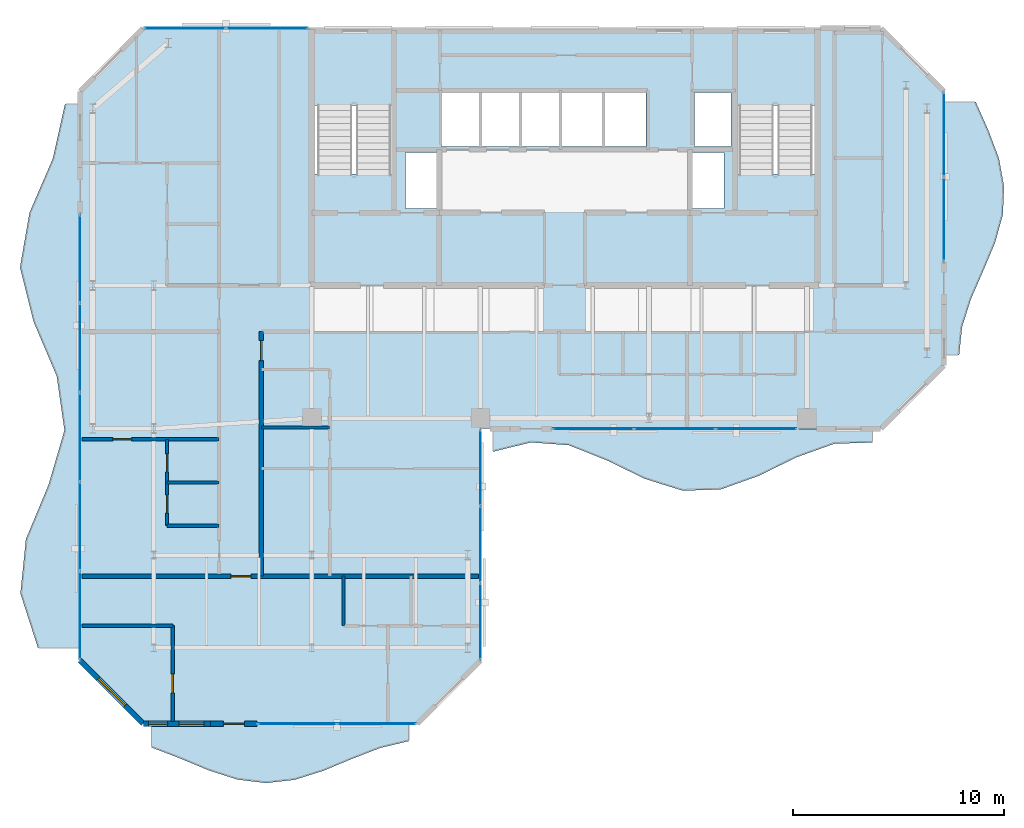
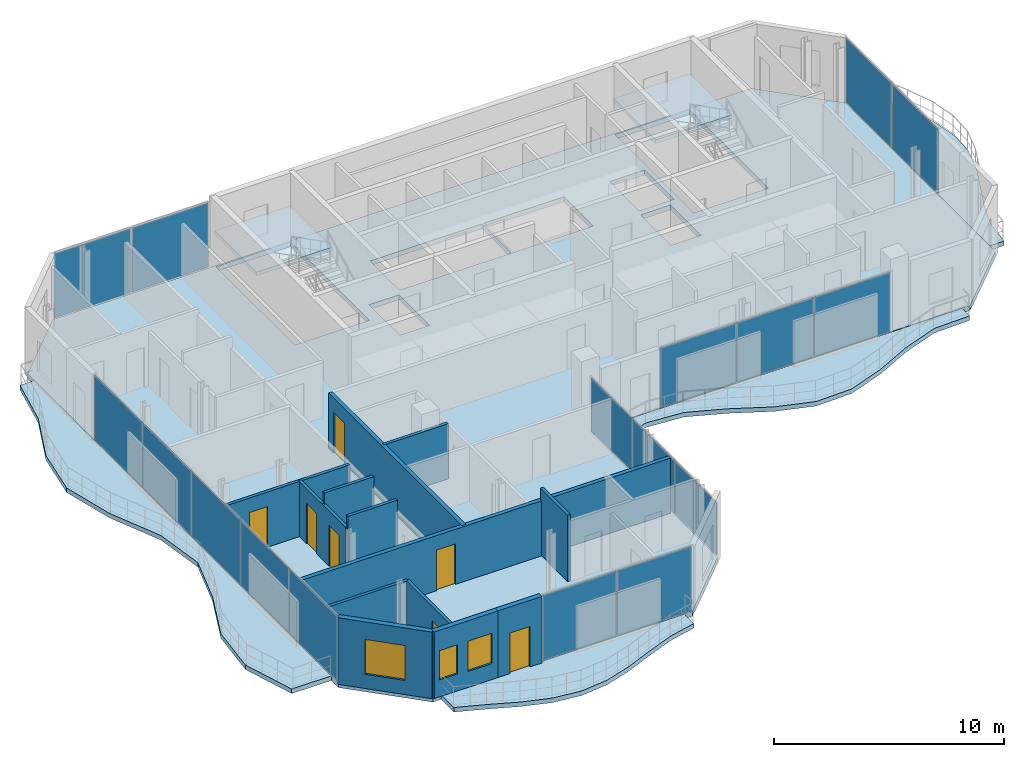
# One storey, part 17 of 22: 17 plates, 13 walls, 7 doors, 7 slabs, 3 windows, 10 openings, 8 elements without a shape of their own.
"""IFC4 building model written with IfcOpenShell, lengths in metres."""

from ifc_helpers import new_model, si_unit, direction, frame, frame_2d, origin, origin_2d, place, context, subcontext, project, spatial, polyline, rectangle, outline, extrude, material, layer, layer_set, type_object, element, fill, aggregate, save


model = new_model("IFC4")

# Units and contexts
model_context = context("Model", 3, precision=1e-05, world=origin(), true_north=direction((0.0, 1.0)))
body_context = subcontext(model_context, "Body", "Model", "MODEL_VIEW")
ifc_project = project(units=[si_unit("LENGTHUNIT", "METRE"), si_unit("AREAUNIT", "SQUARE_METRE"), si_unit("VOLUMEUNIT", "CUBIC_METRE"), si_unit("PLANEANGLEUNIT", "RADIAN"), si_unit("MASSUNIT", "GRAM", prefix="KILO")], contexts=[model_context])

# Site, building, storey
site_placement = place(None, origin())
site = spatial("IfcSite", under=ifc_project, at=site_placement, CompositionType="ELEMENT")
building_placement = place(site_placement, origin())
building = spatial("IfcBuilding", under=site, at=building_placement, Name="Catumbela Crestline Tower", CompositionType="ELEMENT")
storey_placement = place(building_placement, frame((0.0, 0.0, 222.2)))
storey = spatial("IfcBuildingStorey", under=building, at=storey_placement, Name="L57", CompositionType="ELEMENT", Elevation=222.2)

# Curtain wall, plates
ifc_material_1 = material(Name="Aluminium alloy AW-6060-T66", Category="aluminium")
ifc_layer_1 = layer(ifc_material_1, 0.18, Name="Aluminium alloy AW-6060-T66")
ifc_layer_set_1 = layer_set([ifc_layer_1], Name="Aluminium alloy AW-6060-T66")
curtain_wall_type = type_object("IfcCurtainWallType", Name="CWU-Z4", PredefinedType="USERDEFINED", material=ifc_layer_set_1)
curtain_wall_1_placement = place(storey_placement, origin())
curtain_wall_1 = element("IfcCurtainWall", 1, at=curtain_wall_1_placement, inside=storey, type_object=curtain_wall_type, Name="L57 Unitised Curtain Wall CW-L57-E0S2", ObjectType="UNITISED", PredefinedType="USERDEFINED")
ifc_material_2 = material(Name="Low-E laminated solar-control double glazing", Category="glass")
ifc_layer_2 = layer(ifc_material_2, 0.036, Name="Low-E laminated solar-control double glazing")
ifc_layer_set_2 = layer_set([ifc_layer_2], Name="Low-E laminated solar-control double glazing")
plate_type = type_object("IfcPlateType", Name="PNL-GLZ-Z4", PredefinedType="CURTAIN_PANEL", material=ifc_layer_set_2)
plate_1_placement = place(storey_placement, frame((15.3162, 10.0, 0.06), z_axis=(0.0, 0.0, 1.0), x_axis=(1.0, 0.0, 0.0)))
plate_1 = element("IfcPlate", 2, at=plate_1_placement, type_object=plate_type, Name="CWU-Z4 panel 1.1", PredefinedType="CURTAIN_PANEL", context=body_context, shape_type="SweptSolid", body=[
    extrude(rectangle(XDim=3.7025, YDim=0.034, at=origin_2d()), origin(), (0.0, 0.0, 1.0), 3.41),
])
plate_2_placement = place(storey_placement, frame((19.0837, 10.0, 0.06), z_axis=(0.0, 0.0, 1.0), x_axis=(1.0, 0.0, 0.0)))
plate_2 = element("IfcPlate", 3, at=plate_2_placement, type_object=plate_type, Name="CWU-Z4 panel 2.1", PredefinedType="CURTAIN_PANEL", context=body_context, shape_type="SweptSolid", body=[
    extrude(rectangle(XDim=3.7025, YDim=0.034, at=origin_2d()), origin(), (0.0, 0.0, 1.0), 3.41),
])
aggregate(curtain_wall_1, [plate_1, plate_2])

curtain_wall_2_placement = place(storey_placement, origin())
curtain_wall_2 = element("IfcCurtainWall", 4, at=curtain_wall_2_placement, inside=storey, type_object=curtain_wall_type, Name="L57 Unitised Curtain Wall CW-L57-E2S1", ObjectType="UNITISED", PredefinedType="USERDEFINED")
plate_3_placement = place(storey_placement, frame((24.0, 14.8496, 0.06), z_axis=(0.0, 0.0, 1.0), x_axis=(0.0, 1.0, 0.0)))
plate_3 = element("IfcPlate", 5, at=plate_3_placement, type_object=plate_type, Name="CWU-Z4 panel 1.1", PredefinedType="CURTAIN_PANEL", context=body_context, shape_type="SweptSolid", body=[
    extrude(rectangle(XDim=3.5692, YDim=0.034, at=origin_2d()), origin(), (0.0, 0.0, 1.0), 2.8),
])
plate_4_placement = place(storey_placement, frame((24.0, 18.5, 0.06), z_axis=(0.0, 0.0, 1.0), x_axis=(0.0, 1.0, 0.0)))
plate_4 = element("IfcPlate", 6, at=plate_4_placement, type_object=plate_type, Name="CWU-Z4 panel 2.1", PredefinedType="CURTAIN_PANEL", context=body_context, shape_type="SweptSolid", body=[
    extrude(rectangle(XDim=3.6017, YDim=0.034, at=origin_2d()), origin(), (0.0, 0.0, 1.0), 2.8),
])
plate_5_placement = place(storey_placement, frame((24.0, 22.1504, 0.06), z_axis=(0.0, 0.0, 1.0), x_axis=(0.0, 1.0, 0.0)))
plate_5 = element("IfcPlate", 7, at=plate_5_placement, type_object=plate_type, Name="CWU-Z4 panel 3.1", PredefinedType="CURTAIN_PANEL", context=body_context, shape_type="SweptSolid", body=[
    extrude(rectangle(XDim=3.5692, YDim=0.034, at=origin_2d()), origin(), (0.0, 0.0, 1.0), 2.8),
])
aggregate(curtain_wall_2, [plate_3, plate_4, plate_5])

curtain_wall_3_placement = place(storey_placement, origin())
curtain_wall_3 = element("IfcCurtainWall", 8, at=curtain_wall_3_placement, inside=storey, type_object=curtain_wall_type, Name="L57 Unitised Curtain Wall CW-L57-E3S2", ObjectType="UNITISED", PredefinedType="USERDEFINED")
plate_6_placement = place(storey_placement, frame((29.3579, 24.0, 0.06), z_axis=(0.0, 0.0, 1.0), x_axis=(1.0, 0.0, 0.0)))
plate_6 = element("IfcPlate", 9, at=plate_6_placement, type_object=plate_type, Name="CWU-Z4 panel 1.1", PredefinedType="CURTAIN_PANEL", context=body_context, shape_type="SweptSolid", body=[
    extrude(rectangle(XDim=3.7858, YDim=0.034, at=origin_2d()), origin(), (0.0, 0.0, 1.0), 3.12),
])
plate_7_placement = place(storey_placement, frame((33.225, 24.0, 0.06), z_axis=(0.0, 0.0, 1.0), x_axis=(1.0, 0.0, 0.0)))
plate_7 = element("IfcPlate", 10, at=plate_7_placement, type_object=plate_type, Name="CWU-Z4 panel 2.1", PredefinedType="CURTAIN_PANEL", context=body_context, shape_type="SweptSolid", body=[
    extrude(rectangle(XDim=3.8183, YDim=0.034, at=origin_2d()), origin(), (0.0, 0.0, 1.0), 3.12),
])
plate_8_placement = place(storey_placement, frame((37.0921, 24.0, 0.06), z_axis=(0.0, 0.0, 1.0), x_axis=(1.0, 0.0, 0.0)))
plate_8 = element("IfcPlate", 11, at=plate_8_placement, type_object=plate_type, Name="CWU-Z4 panel 3.1", PredefinedType="CURTAIN_PANEL", context=body_context, shape_type="SweptSolid", body=[
    extrude(rectangle(XDim=3.7858, YDim=0.034, at=origin_2d()), origin(), (0.0, 0.0, 1.0), 3.12),
])
aggregate(curtain_wall_3, [plate_6, plate_7, plate_8])

curtain_wall_4_placement = place(storey_placement, origin())
curtain_wall_4 = element("IfcCurtainWall", 12, at=curtain_wall_4_placement, inside=storey, type_object=curtain_wall_type, Name="L57 Unitised Curtain Wall CW-L57-E5S2", ObjectType="UNITISED", PredefinedType="USERDEFINED")
plate_9_placement = place(storey_placement, frame((46.0, 33.9412, 0.06), z_axis=(0.0, 0.0, 1.0), x_axis=(0.0, 1.0, 0.0)))
plate_9 = element("IfcPlate", 13, at=plate_9_placement, type_object=plate_type, Name="CWU-Z4 panel 1.1", PredefinedType="CURTAIN_PANEL", context=body_context, shape_type="SweptSolid", body=[
    extrude(rectangle(XDim=3.9525, YDim=0.034, at=origin_2d()), origin(), (0.0, 0.0, 1.0), 3.41),
])
plate_10_placement = place(storey_placement, frame((46.0, 37.9588, 0.06), z_axis=(0.0, 0.0, 1.0), x_axis=(0.0, 1.0, 0.0)))
plate_10 = element("IfcPlate", 14, at=plate_10_placement, type_object=plate_type, Name="CWU-Z4 panel 2.1", PredefinedType="CURTAIN_PANEL", context=body_context, shape_type="SweptSolid", body=[
    extrude(rectangle(XDim=3.9525, YDim=0.034, at=origin_2d()), origin(), (0.0, 0.0, 1.0), 3.41),
])
aggregate(curtain_wall_4, [plate_9, plate_10])

curtain_wall_5_placement = place(storey_placement, origin())
curtain_wall_5 = element("IfcCurtainWall", 15, at=curtain_wall_5_placement, inside=storey, type_object=curtain_wall_type, Name="L57 Unitised Curtain Wall CW-L57-E7S2", ObjectType="UNITISED", PredefinedType="USERDEFINED")
plate_11_placement = place(storey_placement, frame((13.8788, 43.0, 0.06), z_axis=(0.0, 0.0, 1.0), x_axis=(-1.0, 0.0, 0.0)))
plate_11 = element("IfcPlate", 16, at=plate_11_placement, type_object=plate_type, Name="CWU-Z4 panel 1.1", PredefinedType="CURTAIN_PANEL", context=body_context, shape_type="SweptSolid", body=[
    extrude(rectangle(XDim=3.8325, YDim=0.034, at=origin_2d()), origin(), (0.0, 0.0, 1.0), 3.41),
])
plate_12_placement = place(storey_placement, frame((9.9812, 43.0, 0.06), z_axis=(0.0, 0.0, 1.0), x_axis=(-1.0, 0.0, 0.0)))
plate_12 = element("IfcPlate", 17, at=plate_12_placement, type_object=plate_type, Name="CWU-Z4 panel 2.1", PredefinedType="CURTAIN_PANEL", context=body_context, shape_type="SweptSolid", body=[
    extrude(rectangle(XDim=3.8325, YDim=0.034, at=origin_2d()), origin(), (0.0, 0.0, 1.0), 3.41),
])
aggregate(curtain_wall_5, [plate_11, plate_12])

curtain_wall_6_placement = place(storey_placement, origin())
curtain_wall_6 = element("IfcCurtainWall", 18, at=curtain_wall_6_placement, inside=storey, type_object=curtain_wall_type, Name="L57 Unitised Curtain Wall CW-L57-E9S2", ObjectType="UNITISED", PredefinedType="USERDEFINED")
plate_13_placement = place(storey_placement, frame((5.0, 32.0638, 0.06), z_axis=(0.0, 0.0, 1.0), x_axis=(0.0, -1.0, 0.0)))
plate_13 = element("IfcPlate", 19, at=plate_13_placement, type_object=plate_type, Name="CWU-Z4 panel 1.1", PredefinedType="CURTAIN_PANEL", context=body_context, shape_type="SweptSolid", body=[
    extrude(rectangle(XDim=4.1425, YDim=0.034, at=origin_2d()), origin(), (0.0, 0.0, 1.0), 3.41),
])
plate_14_placement = place(storey_placement, frame((5.0, 27.84, 0.06), z_axis=(0.0, 0.0, 1.0), x_axis=(0.0, -1.0, 0.0)))
plate_14 = element("IfcPlate", 20, at=plate_14_placement, type_object=plate_type, Name="CWU-Z4 panel 2.1", PredefinedType="CURTAIN_PANEL", context=body_context, shape_type="SweptSolid", body=[
    extrude(rectangle(XDim=4.175, YDim=0.034, at=origin_2d()), origin(), (0.0, 0.0, 1.0), 3.41),
])
plate_15_placement = place(storey_placement, frame((5.0, 23.6, 0.06), z_axis=(0.0, 0.0, 1.0), x_axis=(0.0, -1.0, 0.0)))
plate_15 = element("IfcPlate", 21, at=plate_15_placement, type_object=plate_type, Name="CWU-Z4 panel 3.1", PredefinedType="CURTAIN_PANEL", context=body_context, shape_type="SweptSolid", body=[
    extrude(rectangle(XDim=4.175, YDim=0.034, at=origin_2d()), origin(), (0.0, 0.0, 1.0), 3.41),
])
plate_16_placement = place(storey_placement, frame((5.0, 19.36, 0.06), z_axis=(0.0, 0.0, 1.0), x_axis=(0.0, -1.0, 0.0)))
plate_16 = element("IfcPlate", 22, at=plate_16_placement, type_object=plate_type, Name="CWU-Z4 panel 4.1", PredefinedType="CURTAIN_PANEL", context=body_context, shape_type="SweptSolid", body=[
    extrude(rectangle(XDim=4.175, YDim=0.034, at=origin_2d()), origin(), (0.0, 0.0, 1.0), 3.41),
])
plate_17_placement = place(storey_placement, frame((5.0, 15.1362, 0.06), z_axis=(0.0, 0.0, 1.0), x_axis=(0.0, -1.0, 0.0)))
plate_17 = element("IfcPlate", 23, at=plate_17_placement, type_object=plate_type, Name="CWU-Z4 panel 5.1", PredefinedType="CURTAIN_PANEL", context=body_context, shape_type="SweptSolid", body=[
    extrude(rectangle(XDim=4.1425, YDim=0.034, at=origin_2d()), origin(), (0.0, 0.0, 1.0), 3.41),
])
aggregate(curtain_wall_6, [plate_13, plate_14, plate_15, plate_16, plate_17])

# Stair, slab
ifc_material_3 = material(Name="Concrete C45/55", Category="concrete")
stair_type = type_object("IfcStairType", Name="ST-DLG", PredefinedType="HALF_TURN_STAIR", material=ifc_material_3)
stair_1_placement = place(storey_placement, origin())
stair_1 = element("IfcStair", 24, at=stair_1_placement, inside=storey, type_object=stair_type, Name="L57 West Core Pressurised Exit Stair ST-01", PredefinedType="HALF_TURN_STAIR")
ifc_layer_3 = layer(ifc_material_3, 0.2, Name="Concrete C45/55")
ifc_layer_set_3 = layer_set([ifc_layer_3], Name="Concrete C45/55")
slab_type_1 = type_object("IfcSlabType", Name="SL-LND", PredefinedType="LANDING", material=ifc_layer_set_3)
slab_1_placement = place(storey_placement, frame((0.0, 0.0, 1.7)))
slab_1 = element("IfcSlab", 25, at=slab_1_placement, type_object=slab_type_1, Name="ST-01 landing 1", PredefinedType="LANDING", context=body_context, shape_type="SweptSolid", body=[
    extrude(outline(polyline([(19.91, 39.33), (19.91, 42.96), (16.09, 42.96), (16.09, 39.33), (19.91, 39.33)])), origin(), (0.0, 0.0, 1.0), 0.2),
])
aggregate(stair_1, [slab_1])

stair_2_placement = place(storey_placement, origin())
stair_2 = element("IfcStair", 26, at=stair_2_placement, inside=storey, type_object=stair_type, Name="L57 East Core Pressurised Exit Stair ST-02", PredefinedType="HALF_TURN_STAIR")
slab_2_placement = place(storey_placement, frame((0.0, 0.0, 1.7)))
slab_2 = element("IfcSlab", 27, at=slab_2_placement, type_object=slab_type_1, Name="ST-02 landing 1", PredefinedType="LANDING", context=body_context, shape_type="SweptSolid", body=[
    extrude(outline(polyline([(39.91, 39.33), (39.91, 42.96), (36.09, 42.96), (36.09, 39.33), (39.91, 39.33)])), origin(), (0.0, 0.0, 1.0), 0.2),
])
aggregate(stair_2, [slab_2])

# Slabs
ifc_layer_4 = layer(ifc_material_3, 0.26, Name="Concrete C45/55")
ifc_layer_set_4 = layer_set([ifc_layer_4], Name="Concrete C45/55")
slab_type_2 = type_object("IfcSlabType", Name="SL-260", PredefinedType="FLOOR", material=ifc_layer_set_4)
slab_3_placement = place(storey_placement, frame((0.0, 0.0, -0.26)))
element("IfcSlab", 28, at=slab_3_placement, inside=storey, type_object=slab_type_2, Name="L57 Structural Floor Slab", PredefinedType="FLOOR", context=body_context, shape_type="SweptSolid", body=[
    extrude(outline(polyline([(8.0, 10.0), (21.0, 10.0), (24.0, 13.0), (24.0, 24.0), (43.0, 24.0), (46.0, 27.0), (46.0, 40.0), (43.0, 43.0), (8.0, 43.0), (5.0, 40.0), (5.0, 13.0), (8.0, 10.0)]), holes=[polyline([(16.13, 36.08), (19.87, 36.08), (19.87, 42.92), (16.13, 42.92), (16.13, 36.08)]), polyline([(36.13, 36.08), (39.87, 36.08), (39.87, 42.92), (36.13, 42.92), (36.13, 36.08)]), polyline([(22.15, 37.4), (27.75, 37.4), (27.75, 39.95), (22.15, 39.95), (22.15, 37.4)]), polyline([(27.85, 37.4), (31.85, 37.4), (31.85, 39.95), (27.85, 39.95), (27.85, 37.4)]), polyline([(20.45, 34.45), (21.95, 34.45), (21.95, 37.1), (20.45, 37.1), (20.45, 34.45)]), polyline([(34.05, 34.45), (35.55, 34.45), (35.55, 37.1), (34.05, 37.1), (34.05, 34.45)]), polyline([(34.15, 37.4), (35.9, 37.4), (35.9, 39.95), (34.15, 39.95), (34.15, 37.4)])]), origin(), (0.0, 0.0, 1.0), 0.26),
])
ifc_layer_5 = layer(ifc_material_3, 0.24, Name="Concrete C45/55")
ifc_layer_set_5 = layer_set([ifc_layer_5], Name="Concrete C45/55")
slab_type_3 = type_object("IfcSlabType", Name="SB-240W", PredefinedType="USERDEFINED", material=ifc_layer_set_5)
slab_4_placement = place(storey_placement, frame((0.0, 0.0, -0.24)))
element("IfcSlab", 29, at=slab_4_placement, inside=storey, type_object=slab_type_3, Name="L57 Cantilevered Wave Balcony Slab SPINE-S", ObjectType="BALCONY", PredefinedType="USERDEFINED", context=body_context, shape_type="SweptSolid", body=[
    extrude(outline(polyline([(24.6, 22.9053), (26.4, 23.35), (28.2, 23.2132), (30.0, 22.4984), (31.8, 21.6219), (33.6, 21.0587), (35.4, 21.1142), (37.2, 21.7583), (39.0, 22.6417), (40.8, 23.2858), (42.6, 23.3413), (42.6, 23.99), (24.6, 23.99), (24.6, 22.9053)])), origin(), (0.0, 0.0, 1.0), 0.24),
])
slab_5_placement = place(storey_placement, frame((0.0, 0.0, -0.24)))
element("IfcSlab", 30, at=slab_5_placement, inside=storey, type_object=slab_type_3, Name="L57 Cantilevered Wave Balcony Slab SPINE-E", ObjectType="BALCONY", PredefinedType="USERDEFINED", context=body_context, shape_type="SweptSolid", body=[
    extrude(outline(polyline([(46.01, 27.5), (46.721, 27.5), (46.8606, 28.8333), (47.2858, 30.1667), (47.8672, 31.5), (48.4282, 32.8333), (48.7983, 34.1667), (48.85, 35.5), (48.608, 36.8333), (48.1055, 38.1667), (47.5102, 39.5), (46.01, 39.5), (46.01, 27.5)])), origin(), (0.0, 0.0, 1.0), 0.24),
])
slab_6_placement = place(storey_placement, frame((0.0, 0.0, -0.24)))
element("IfcSlab", 31, at=slab_6_placement, inside=storey, type_object=slab_type_3, Name="L57 Cantilevered Wave Balcony Slab WING-S", ObjectType="BALCONY", PredefinedType="USERDEFINED", context=body_context, shape_type="SweptSolid", body=[
    extrude(outline(polyline([(8.4, 8.8674), (9.7556, 8.3478), (11.1111, 7.7819), (12.4667, 7.3472), (13.8222, 7.1801), (15.1778, 7.3331), (16.5333, 7.7582), (17.8889, 8.3219), (19.2444, 8.8474), (20.6, 9.1697), (20.6, 9.99), (8.4, 9.99), (8.4, 8.8674)])), origin(), (0.0, 0.0, 1.0), 0.24),
])
slab_7_placement = place(storey_placement, frame((0.0, 0.0, -0.24)))
element("IfcSlab", 32, at=slab_7_placement, inside=storey, type_object=slab_type_3, Name="L57 Cantilevered Wave Balcony Slab WEST", ObjectType="BALCONY", PredefinedType="USERDEFINED", context=body_context, shape_type="SweptSolid", body=[
    extrude(outline(polyline([(4.99, 39.4), (4.28, 39.4), (3.7067, 36.82), (2.597, 34.24), (2.15, 31.66), (2.7916, 29.08), (3.8899, 26.5), (4.2579, 23.92), (3.506, 21.34), (2.4302, 18.76), (2.1693, 16.18), (2.9995, 13.6), (4.99, 13.6), (4.99, 39.4)])), origin(), (0.0, 0.0, 1.0), 0.24),
])

# Wall, opening, door
ifc_material_4 = material(Name="Acoustic gypsum and mineral-wool partition")
ifc_layer_6 = layer(ifc_material_4, 0.2, Name="Acoustic gypsum and mineral-wool partition")
ifc_layer_set_6 = layer_set([ifc_layer_6], Name="Acoustic gypsum and mineral-wool partition")
wall_type_1 = type_object("IfcWallType", Name="WC-200", PredefinedType="PARTITIONING", material=ifc_layer_set_6)
wall_1_placement = place(storey_placement, frame((13.6, 17.0, 0.0), z_axis=(0.0, 0.0, 1.0), x_axis=(0.0, 1.0, 0.0)))
wall_1 = element("IfcWall", 33, at=wall_1_placement, inside=storey, type_object=wall_type_1, Name="L57 Interior Partition PW-L57-WR1-ENT", PredefinedType="PARTITIONING", context=body_context, shape_type="SweptSolid", body=[
    extrude(rectangle(XDim=11.6, YDim=0.2, at=frame_2d((5.8, 0.0))), origin(), (0.0, 0.0, 1.0), 2.92),
])
opening_1_placement = place(wall_1_placement, frame((10.225, 0.0, 0.0)))
opening_1 = element("IfcOpeningElement", 34, at=opening_1_placement, cuts=wall_1, Name="Opening DF6-095", PredefinedType="OPENING", context=body_context, shape_type="SweptSolid", body=[
    extrude(rectangle(XDim=0.95, YDim=2.15, at=frame_2d((0.475, 1.075))), frame((0.0, 0.11, 0.0), z_axis=(0.0, -1.0, 0.0), x_axis=(1.0, 0.0, 0.0)), (0.0, 0.0, 1.0), 0.22),
])
door_type_1 = type_object("IfcDoorType", Name="DF6-095", OperationType="NOTDEFINED", PredefinedType="DOOR", material=ifc_material_1)
door_1_placement = place(opening_1_placement, origin())
door_1 = element("IfcDoor", 35, at=door_1_placement, inside=storey, type_object=door_type_1, Name="L57 Interior Door DR-L57-WR1-ENT", OperationType="SINGLE_SWING_LEFT", OverallHeight=2.15, OverallWidth=0.95, PredefinedType="DOOR", context=body_context, shape_type="SweptSolid", body=[
    extrude(rectangle(XDim=0.95, YDim=2.15, at=frame_2d((0.475, 1.075))), frame((0.0, 0.025, 0.0), z_axis=(0.0, -1.0, 0.0), x_axis=(1.0, 0.0, 0.0)), (0.0, 0.0, 1.0), 0.05),
])
fill(opening_1, door_1)

ifc_material_5 = material(Name="Angolan grey-ochre granite", Category="masonry")
ifc_layer_7 = layer(ifc_material_5, 0.25, Name="Angolan grey-ochre granite")
ifc_layer_set_7 = layer_set([ifc_layer_7], Name="Angolan grey-ochre granite")
wall_type_2 = type_object("IfcWallType", Name="WE-250", PredefinedType="STANDARD", material=ifc_layer_set_7)
wall_2_placement = place(storey_placement, frame((11.2, 10.0, 0.0), z_axis=(0.0, 0.0, 1.0), x_axis=(1.0, 0.0, 0.0)))
wall_2 = element("IfcWall", 36, at=wall_2_placement, inside=storey, type_object=wall_type_2, Name="L57 Exterior Threshold Portal Wall DR-L57-WBAL-3", PredefinedType="STANDARD", context=body_context, shape_type="SweptSolid", body=[
    extrude(rectangle(XDim=2.2, YDim=0.25, at=frame_2d((1.1, 0.0))), origin(), (0.0, 0.0, 1.0), 3.53),
])
opening_2_placement = place(wall_2_placement, frame((0.6, 0.0, 0.0)))
opening_2 = element("IfcOpeningElement", 37, at=opening_2_placement, cuts=wall_2, Name="Opening DB-L57-3", PredefinedType="OPENING", context=body_context, shape_type="SweptSolid", body=[
    extrude(rectangle(XDim=1.0, YDim=2.15, at=frame_2d((0.5, 1.075))), frame((0.0, 0.135, 0.0), z_axis=(0.0, -1.0, 0.0), x_axis=(1.0, 0.0, 0.0)), (0.0, 0.0, 1.0), 0.27),
])
door_type_2 = type_object("IfcDoorType", Name="DB-1000", OperationType="NOTDEFINED", PredefinedType="DOOR", material=ifc_material_1)
door_2_placement = place(opening_2_placement, origin())
door_2 = element("IfcDoor", 38, at=door_2_placement, inside=storey, type_object=door_type_2, Name="L57 Wave Balcony Terrace Door 3", OperationType="SINGLE_SWING_LEFT", OverallHeight=2.15, OverallWidth=1.0, PredefinedType="DOOR", context=body_context, shape_type="SweptSolid", body=[
    extrude(rectangle(XDim=1.0, YDim=2.15, at=frame_2d((0.5, 1.075))), frame((0.0, 0.025, 0.0), z_axis=(0.0, -1.0, 0.0), x_axis=(1.0, 0.0, 0.0)), (0.0, 0.0, 1.0), 0.05),
])
fill(opening_2, door_2)

# Wall, openings, windows
wall_3_placement = place(storey_placement, frame((8.0, 10.0, 0.0), z_axis=(0.0, 0.0, 1.0), x_axis=(1.0, 0.0, 0.0)))
wall_3 = element("IfcWall", 39, at=wall_3_placement, inside=storey, type_object=wall_type_2, Name="L57 Granite Punched Window Wall 0-1", PredefinedType="STANDARD", context=body_context, shape_type="SweptSolid", body=[
    extrude(rectangle(XDim=3.2, YDim=0.25, at=frame_2d((1.6, 0.0))), origin(), (0.0, 0.0, 1.0), 3.53),
])
opening_3_placement = place(wall_3_placement, frame((0.26, 0.0, 0.9)))
opening_3 = element("IfcOpeningElement", 40, at=opening_3_placement, cuts=wall_3, Name="Opening WN-03", PredefinedType="OPENING", context=body_context, shape_type="SweptSolid", body=[
    extrude(rectangle(XDim=0.9, YDim=1.55, at=frame_2d((0.45, 0.775))), frame((0.0, 0.135, 0.0), z_axis=(0.0, -1.0, 0.0), x_axis=(1.0, 0.0, 0.0)), (0.0, 0.0, 1.0), 0.27),
])
opening_4_placement = place(wall_3_placement, frame((1.69, 0.0, 0.85)))
opening_4 = element("IfcOpeningElement", 41, at=opening_4_placement, cuts=wall_3, Name="Opening WN-02", PredefinedType="OPENING", context=body_context, shape_type="SweptSolid", body=[
    extrude(rectangle(XDim=1.2, YDim=1.6, at=frame_2d((0.6, 0.8))), frame((0.0, 0.135, 0.0), z_axis=(0.0, -1.0, 0.0), x_axis=(1.0, 0.0, 0.0)), (0.0, 0.0, 1.0), 0.27),
])
window_type_1 = type_object("IfcWindowType", Name="WO-0900", PartitioningType="SINGLE_PANEL", PredefinedType="WINDOW", material=ifc_material_2)
window_1_placement = place(opening_3_placement, origin())
window_1 = element("IfcWindow", 42, at=window_1_placement, inside=storey, type_object=window_type_1, Name="L57 Facade Vision Window 393", OverallHeight=1.55, OverallWidth=0.9, PartitioningType="SINGLE_PANEL", PredefinedType="WINDOW", context=body_context, shape_type="SweptSolid", body=[
    extrude(rectangle(XDim=0.9, YDim=1.55, at=frame_2d((0.45, 0.775))), frame((0.0, 0.03, 0.0), z_axis=(0.0, -1.0, 0.0), x_axis=(1.0, 0.0, 0.0)), (0.0, 0.0, 1.0), 0.06),
])
fill(opening_3, window_1)
window_type_2 = type_object("IfcWindowType", Name="WO-1200", PartitioningType="SINGLE_PANEL", PredefinedType="WINDOW", material=ifc_material_2)
window_2_placement = place(opening_4_placement, origin())
window_2 = element("IfcWindow", 43, at=window_2_placement, inside=storey, type_object=window_type_2, Name="L57 Facade Vision Window 394", OverallHeight=1.6, OverallWidth=1.2, PartitioningType="SINGLE_PANEL", PredefinedType="WINDOW", context=body_context, shape_type="SweptSolid", body=[
    extrude(rectangle(XDim=1.2, YDim=1.6, at=frame_2d((0.6, 0.8))), frame((0.0, 0.03, 0.0), z_axis=(0.0, -1.0, 0.0), x_axis=(1.0, 0.0, 0.0)), (0.0, 0.0, 1.0), 0.06),
])
fill(opening_4, window_2)

# Wall, opening, window
wall_4_placement = place(storey_placement, frame((5.0, 13.0, 0.0), z_axis=(0.0, 0.0, 1.0), x_axis=(0.707106781187, -0.707106781187, 0.0)))
wall_4 = element("IfcWall", 44, at=wall_4_placement, inside=storey, type_object=wall_type_2, Name="L57 Granite Punched Window Wall 10-1", PredefinedType="STANDARD", context=body_context, shape_type="SweptSolid", body=[
    extrude(rectangle(XDim=4.2426, YDim=0.25, at=frame_2d((2.1213, 0.0))), origin(), (0.0, 0.0, 1.0), 3.53),
])
opening_5_placement = place(wall_4_placement, frame((1.2213, 0.0, 0.75)))
opening_5 = element("IfcOpeningElement", 45, at=opening_5_placement, cuts=wall_4, Name="Opening WN-01", PredefinedType="OPENING", context=body_context, shape_type="SweptSolid", body=[
    extrude(rectangle(XDim=1.8, YDim=1.85, at=frame_2d((0.9, 0.925))), frame((0.0, 0.135, 0.0), z_axis=(0.0, -1.0, 0.0), x_axis=(1.0, 0.0, 0.0)), (0.0, 0.0, 1.0), 0.27),
])
window_type_3 = type_object("IfcWindowType", Name="WF-1800", PartitioningType="SINGLE_PANEL", PredefinedType="WINDOW", material=ifc_material_2)
window_3_placement = place(opening_5_placement, origin())
window_3 = element("IfcWindow", 46, at=window_3_placement, inside=storey, type_object=window_type_3, Name="L57 Facade Vision Window 403", OverallHeight=1.85, OverallWidth=1.8, PartitioningType="SINGLE_PANEL", PredefinedType="WINDOW", context=body_context, shape_type="SweptSolid", body=[
    extrude(rectangle(XDim=1.8, YDim=1.85, at=frame_2d((0.9, 0.925))), frame((0.0, 0.03, 0.0), z_axis=(0.0, -1.0, 0.0), x_axis=(1.0, 0.0, 0.0)), (0.0, 0.0, 1.0), 0.06),
])
fill(opening_5, window_3)

# Walls
ifc_layer_8 = layer(ifc_material_4, 0.15, Name="Acoustic gypsum and mineral-wool partition")
ifc_layer_set_8 = layer_set([ifc_layer_8], Name="Acoustic gypsum and mineral-wool partition")
wall_type_3 = type_object("IfcWallType", Name="WP-150", PredefinedType="PARTITIONING", material=ifc_layer_set_8)
for number, where, z_axis, x_axis, name in (
    (47, (9.13, 19.396, 0.0), (0.0, 0.0, 1.0), (1.0, 0.0, 0.0), "L57 Interior Partition PW-L57-WL1-KBS"),
    (48, (9.13, 21.446, 0.0), (0.0, 0.0, 1.0), (1.0, 0.0, 0.0), "L57 Interior Partition PW-L57-WL1-KBM"),
):
    element("IfcWall", number, at=place(storey_placement, frame(where, z_axis=z_axis, x_axis=x_axis)), inside=storey, type_object=wall_type_3, Name=name, PredefinedType="PARTITIONING", context=body_context, shape_type="SweptSolid", body=[
        extrude(rectangle(XDim=2.47, YDim=0.15, at=frame_2d((1.235, 0.0))), origin(), (0.0, 0.0, 1.0), 3.53),
    ])

# Wall, opening, door
wall_5_placement = place(storey_placement, frame((5.1, 23.496, 0.0), z_axis=(0.0, 0.0, 1.0), x_axis=(1.0, 0.0, 0.0)))
wall_5 = element("IfcWall", 49, at=wall_5_placement, inside=storey, type_object=wall_type_3, Name="L57 Interior Partition PW-L57-WL1-KBN", PredefinedType="PARTITIONING", context=body_context, shape_type="SweptSolid", body=[
    extrude(rectangle(XDim=6.5, YDim=0.15, at=frame_2d((3.25, 0.0))), origin(), (0.0, 0.0, 1.0), 2.92),
])
opening_6_placement = place(wall_5_placement, frame((1.4533, 0.0, 0.0)))
opening_6 = element("IfcOpeningElement", 50, at=opening_6_placement, cuts=wall_5, Name="Opening DI-090", PredefinedType="OPENING", context=body_context, shape_type="SweptSolid", body=[
    extrude(rectangle(XDim=0.9, YDim=2.15, at=frame_2d((0.45, 1.075))), frame((0.0, 0.085, 0.0), z_axis=(0.0, -1.0, 0.0), x_axis=(1.0, 0.0, 0.0)), (0.0, 0.0, 1.0), 0.17),
])
door_type_3 = type_object("IfcDoorType", Name="DI-090", OperationType="NOTDEFINED", PredefinedType="DOOR", material=ifc_material_1)
door_3_placement = place(opening_6_placement, origin())
door_3 = element("IfcDoor", 51, at=door_3_placement, inside=storey, type_object=door_type_3, Name="L57 Interior Door DR-L57-WL1-BD1", OperationType="SINGLE_SWING_RIGHT", OverallHeight=2.15, OverallWidth=0.9, PredefinedType="DOOR", context=body_context, shape_type="SweptSolid", body=[
    extrude(rectangle(XDim=0.9, YDim=2.15, at=frame_2d((0.45, 1.075))), frame((0.0, 0.025, 0.0), z_axis=(0.0, -1.0, 0.0), x_axis=(1.0, 0.0, 0.0)), (0.0, 0.0, 1.0), 0.05),
])
fill(opening_6, door_3)

# Wall, openings, doors
wall_6_placement = place(storey_placement, frame((9.13, 19.396, 0.0), z_axis=(0.0, 0.0, 1.0), x_axis=(0.0, 1.0, 0.0)))
wall_6 = element("IfcWall", 52, at=wall_6_placement, inside=storey, type_object=wall_type_3, Name="L57 Interior Partition PW-L57-WL1-LK", PredefinedType="PARTITIONING", context=body_context, shape_type="SweptSolid", body=[
    extrude(rectangle(XDim=4.1, YDim=0.15, at=frame_2d((2.05, 0.0))), origin(), (0.0, 0.0, 1.0), 2.92),
])
opening_7_placement = place(wall_6_placement, frame((0.6, 0.0, 0.0)))
opening_7 = element("IfcOpeningElement", 53, at=opening_7_placement, cuts=wall_6, Name="Opening DI-085", PredefinedType="OPENING", context=body_context, shape_type="SweptSolid", body=[
    extrude(rectangle(XDim=0.85, YDim=2.15, at=frame_2d((0.425, 1.075))), frame((0.0, 0.085, 0.0), z_axis=(0.0, -1.0, 0.0), x_axis=(1.0, 0.0, 0.0)), (0.0, 0.0, 1.0), 0.17),
])
opening_8_placement = place(wall_6_placement, frame((2.5529, 0.0, 0.0)))
opening_8 = element("IfcOpeningElement", 54, at=opening_8_placement, cuts=wall_6, Name="Opening DI-085", PredefinedType="OPENING", context=body_context, shape_type="SweptSolid", body=[
    extrude(rectangle(XDim=0.85, YDim=2.15, at=frame_2d((0.425, 1.075))), frame((0.0, 0.085, 0.0), z_axis=(0.0, -1.0, 0.0), x_axis=(1.0, 0.0, 0.0)), (0.0, 0.0, 1.0), 0.17),
])
door_type_4 = type_object("IfcDoorType", Name="DI-085", OperationType="NOTDEFINED", PredefinedType="DOOR", material=ifc_material_1)
door_4_placement = place(opening_7_placement, origin())
door_4 = element("IfcDoor", 55, at=door_4_placement, inside=storey, type_object=door_type_4, Name="L57 Interior Door DR-L57-WL1-KIT", OperationType="SINGLE_SWING_LEFT", OverallHeight=2.15, OverallWidth=0.85, PredefinedType="DOOR", context=body_context, shape_type="SweptSolid", body=[
    extrude(rectangle(XDim=0.85, YDim=2.15, at=frame_2d((0.425, 1.075))), frame((0.0, 0.025, 0.0), z_axis=(0.0, -1.0, 0.0), x_axis=(1.0, 0.0, 0.0)), (0.0, 0.0, 1.0), 0.05),
])
fill(opening_7, door_4)
door_5_placement = place(opening_8_placement, origin())
door_5 = element("IfcDoor", 56, at=door_5_placement, inside=storey, type_object=door_type_4, Name="L57 Interior Door DR-L57-WL1-BTH", OperationType="SINGLE_SWING_LEFT", OverallHeight=2.15, OverallWidth=0.85, PredefinedType="DOOR", context=body_context, shape_type="SweptSolid", body=[
    extrude(rectangle(XDim=0.85, YDim=2.15, at=frame_2d((0.425, 1.075))), frame((0.0, 0.025, 0.0), z_axis=(0.0, -1.0, 0.0), x_axis=(1.0, 0.0, 0.0)), (0.0, 0.0, 1.0), 0.05),
])
fill(opening_8, door_5)

# Walls
wall_7_placement = place(storey_placement, frame((13.6, 24.054, 0.0), z_axis=(0.0, 0.0, 1.0), x_axis=(1.0, 0.0, 0.0)))
element("IfcWall", 57, at=wall_7_placement, inside=storey, type_object=wall_type_3, Name="L57 Interior Partition PW-L57-WR1-KBM", PredefinedType="PARTITIONING", context=body_context, shape_type="SweptSolid", body=[
    extrude(rectangle(XDim=3.25, YDim=0.15, at=frame_2d((1.625, 0.0))), origin(), (0.0, 0.0, 1.0), 2.92),
])
wall_8_placement = place(storey_placement, frame((17.5, 14.65, 0.0), z_axis=(0.0, 0.0, 1.0), x_axis=(0.0, 1.0, 0.0)))
element("IfcWall", 58, at=wall_8_placement, inside=storey, type_object=wall_type_3, Name="L57 Interior Partition PW-L57-SH1-KBW", PredefinedType="PARTITIONING", context=body_context, shape_type="SweptSolid", body=[
    extrude(rectangle(XDim=2.35, YDim=0.15, at=frame_2d((1.175, 0.0))), origin(), (0.0, 0.0, 1.0), 3.53),
])
wall_9_placement = place(storey_placement, frame((5.1, 14.65, 0.0), z_axis=(0.0, 0.0, 1.0), x_axis=(1.0, 0.0, 0.0)))
element("IfcWall", 59, at=wall_9_placement, inside=storey, type_object=wall_type_3, Name="L57 Interior Partition PW-L57-SH1-BDLH", PredefinedType="PARTITIONING", context=body_context, shape_type="SweptSolid", body=[
    extrude(rectangle(XDim=4.3, YDim=0.15, at=frame_2d((2.15, 0.0))), origin(), (0.0, 0.0, 1.0), 2.92),
])

# Wall, opening, door
wall_10_placement = place(storey_placement, frame((9.4, 10.1, 0.0), z_axis=(0.0, 0.0, 1.0), x_axis=(0.0, 1.0, 0.0)))
wall_10 = element("IfcWall", 60, at=wall_10_placement, inside=storey, type_object=wall_type_3, Name="L57 Interior Partition PW-L57-SH1-BDL", PredefinedType="PARTITIONING", context=body_context, shape_type="SweptSolid", body=[
    extrude(rectangle(XDim=4.55, YDim=0.15, at=frame_2d((2.275, 0.0))), origin(), (0.0, 0.0, 1.0), 2.92),
])
opening_9_placement = place(wall_10_placement, frame((1.3648, 0.0, 0.0)))
opening_9 = element("IfcOpeningElement", 61, at=opening_9_placement, cuts=wall_10, Name="Opening DI-090", PredefinedType="OPENING", context=body_context, shape_type="SweptSolid", body=[
    extrude(rectangle(XDim=0.9, YDim=2.15, at=frame_2d((0.45, 1.075))), frame((0.0, 0.085, 0.0), z_axis=(0.0, -1.0, 0.0), x_axis=(1.0, 0.0, 0.0)), (0.0, 0.0, 1.0), 0.17),
])
door_6_placement = place(opening_9_placement, origin())
door_6 = element("IfcDoor", 62, at=door_6_placement, inside=storey, type_object=door_type_3, Name="L57 Interior Door DR-L57-SH1-BD1", OperationType="SINGLE_SWING_LEFT", OverallHeight=2.15, OverallWidth=0.9, PredefinedType="DOOR", context=body_context, shape_type="SweptSolid", body=[
    extrude(rectangle(XDim=0.9, YDim=2.15, at=frame_2d((0.45, 1.075))), frame((0.0, 0.025, 0.0), z_axis=(0.0, -1.0, 0.0), x_axis=(1.0, 0.0, 0.0)), (0.0, 0.0, 1.0), 0.05),
])
fill(opening_9, door_6)

ifc_layer_9 = layer(ifc_material_4, 0.2, Name="Acoustic gypsum and mineral-wool partition")
ifc_layer_set_9 = layer_set([ifc_layer_9], Name="Acoustic gypsum and mineral-wool partition")
wall_type_4 = type_object("IfcWallType", Name="WY-200", PredefinedType="PARTITIONING", material=ifc_layer_set_9)
wall_11_placement = place(storey_placement, frame((5.1, 17.0, 0.0), z_axis=(0.0, 0.0, 1.0), x_axis=(1.0, 0.0, 0.0)))
wall_11 = element("IfcWall", 63, at=wall_11_placement, inside=storey, type_object=wall_type_4, Name="L57 Interior Partition PW-L57-SH-WL", PredefinedType="PARTITIONING", context=body_context, shape_type="SweptSolid", body=[
    extrude(rectangle(XDim=18.8, YDim=0.2, at=frame_2d((9.4, 0.0))), origin(), (0.0, 0.0, 1.0), 2.92),
])
opening_10_placement = place(wall_11_placement, frame((7.0626, 0.0, 0.0)))
opening_10 = element("IfcOpeningElement", 64, at=opening_10_placement, cuts=wall_11, Name="Opening DF6-095", PredefinedType="OPENING", context=body_context, shape_type="SweptSolid", body=[
    extrude(rectangle(XDim=0.95, YDim=2.15, at=frame_2d((0.475, 1.075))), frame((0.0, 0.11, 0.0), z_axis=(0.0, -1.0, 0.0), x_axis=(1.0, 0.0, 0.0)), (0.0, 0.0, 1.0), 0.22),
])
door_7_placement = place(opening_10_placement, origin())
door_7 = element("IfcDoor", 65, at=door_7_placement, inside=storey, type_object=door_type_1, Name="L57 Interior Door DR-L57-SH1-ENT", OperationType="SINGLE_SWING_LEFT", OverallHeight=2.15, OverallWidth=0.95, PredefinedType="DOOR", context=body_context, shape_type="SweptSolid", body=[
    extrude(rectangle(XDim=0.95, YDim=2.15, at=frame_2d((0.475, 1.075))), frame((0.0, 0.025, 0.0), z_axis=(0.0, -1.0, 0.0), x_axis=(1.0, 0.0, 0.0)), (0.0, 0.0, 1.0), 0.05),
])
fill(opening_10, door_7)

save(model, "model.ifc")
